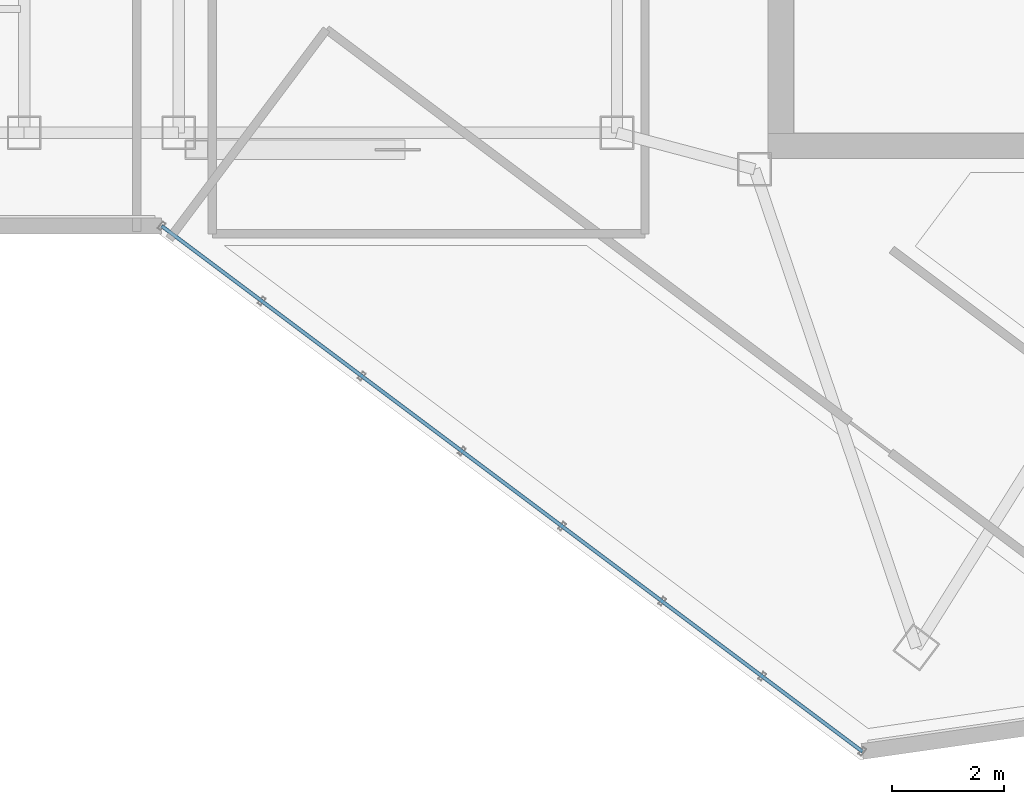
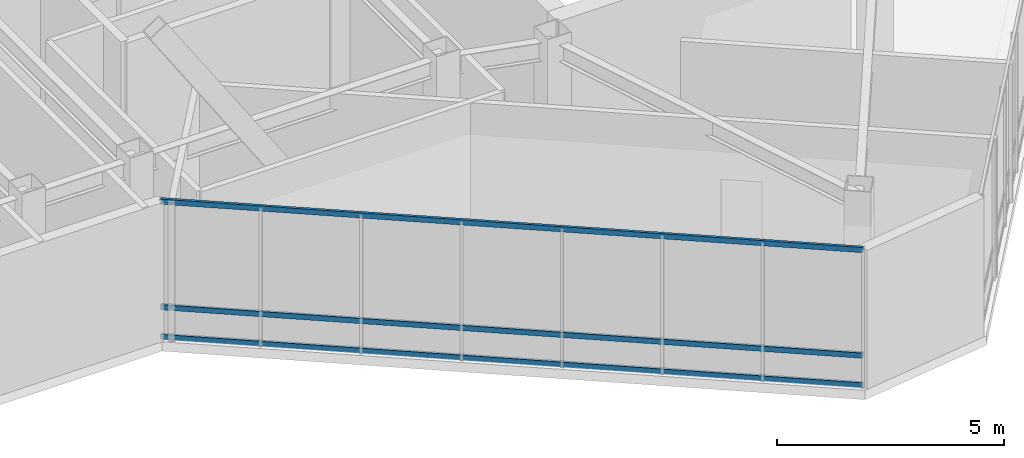
# One storey, part 3 of 31: 3 members, 1 element without a shape of its own.
"""IFC4 building model written with IfcOpenShell, lengths in metres."""

import ifcopenshell
import ifcopenshell.guid

model = None  # the IFC model being written
_history = None  # IfcOwnerHistory: only IFC2X3 demands one
_inside = {}  # id of a spatial element -> (the spatial element, [elements in it])
_under = {}  # id of a project, library or spatial element -> (it, [spatial elements below it])
_declared = {}  # id of a project -> (the project, [libraries it declares])
_typed = {}  # id of a type object -> (the type object, [elements of that type])
_made_of = {}  # id of a material, layer set ... -> (it, [elements and type objects made of it])


def new_model(schema):
    """Start an empty IFC model of exactly this schema.

    Asked for "IFC4X3", IfcOpenShell would pick the latest addendum, in which some entities
    have other attributes; the version numbers below select the first issue.
    IFC2X3 requires an IfcOwnerHistory on every rooted entity: one is made here for all.
    """
    global model, _history
    if schema == "IFC4X3":
        model = ifcopenshell.file(schema_version=(4, 3, 0, 0))
    else:
        model = ifcopenshell.file(schema=schema)
    _inside.clear()
    _under.clear()
    _declared.clear()
    _typed.clear()
    _made_of.clear()
    _history = None
    if model.schema == "IFC2X3":
        org = make("IfcOrganization", Name="unknown")
        user = make(
            "IfcPersonAndOrganization",
            ThePerson=make("IfcPerson", FamilyName="unknown"),
            TheOrganization=org,
        )
        app = make(
            "IfcApplication",
            ApplicationDeveloper=org,
            Version="unknown",
            ApplicationFullName="unknown",
            ApplicationIdentifier="unknown",
        )
        _history = make(
            "IfcOwnerHistory",
            OwningUser=user,
            OwningApplication=app,
            ChangeAction="ADDED",
            CreationDate=0,
        )
    return model


def make(cls, **values):
    """One entity of the class cls with the attributes given. An attribute that is None is left unset."""
    return model.create_entity(
        cls, **{name: value for name, value in values.items() if value is not None}
    )


def rooted(cls, **values):
    """An entity with a GlobalId (a new one), such as an element, a storey or a relation."""
    return make(cls, GlobalId=ifcopenshell.guid.new(), OwnerHistory=_history, **values)


def si_unit(unit_type, name, prefix=None):
    """IfcSIUnit, for example si_unit("LENGTHUNIT", "METRE", prefix="MILLI")."""
    return make("IfcSIUnit", UnitType=unit_type, Prefix=prefix, Name=name)


def assignment(units):
    """IfcUnitAssignment: the units of a project."""
    return None if units is None else make("IfcUnitAssignment", Units=units)


def point(xyz):
    """IfcCartesianPoint."""
    return None if xyz is None else make("IfcCartesianPoint", Coordinates=xyz)


def direction(xyz):
    """IfcDirection."""
    return None if xyz is None else make("IfcDirection", DirectionRatios=xyz)


def frame(location, z_axis=None, x_axis=None):
    """IfcAxis2Placement3D, a coordinate frame: its origin and axes. An axis left out is left unset."""
    return make(
        "IfcAxis2Placement3D",
        Location=point(location),
        Axis=direction(z_axis),
        RefDirection=direction(x_axis),
    )


def frame_2d(location, x_axis=None):
    """IfcAxis2Placement2D, a coordinate frame in the plane: its origin and x axis."""
    return make(
        "IfcAxis2Placement2D", Location=point(location), RefDirection=direction(x_axis)
    )


def origin():
    """The frame at (0, 0, 0) with its axes left unset."""
    return frame((0.0, 0.0, 0.0))


def origin_2d():
    """The frame at (0, 0) in the plane with its x axis left unset."""
    return frame_2d((0.0, 0.0))


def place(relative_to, where):
    """IfcLocalPlacement: puts the frame where relative to a parent placement (None: the world)."""
    return make(
        "IfcLocalPlacement", PlacementRelTo=relative_to, RelativePlacement=where
    )


def context(
    kind, dimensions, precision=None, world=None, true_north=None, identifier=None
):
    """IfcGeometricRepresentationContext, for example the 3D "Model" context."""
    return make(
        "IfcGeometricRepresentationContext",
        ContextIdentifier=identifier,
        ContextType=kind,
        CoordinateSpaceDimension=dimensions,
        Precision=precision,
        WorldCoordinateSystem=world,
        TrueNorth=true_north,
    )


def subcontext(parent, identifier, kind, view, scale=None):
    """IfcGeometricRepresentationSubContext, for example "Body" below "Model"."""
    return make(
        "IfcGeometricRepresentationSubContext",
        ContextIdentifier=identifier,
        ContextType=kind,
        ParentContext=parent,
        TargetScale=scale,
        TargetView=view,
    )


def project(units=None, contexts=None):
    """IfcProject with its units and contexts."""
    return rooted(
        "IfcProject",
        Name="project",
        RepresentationContexts=contexts,
        UnitsInContext=assignment(units),
    )


def spatial(cls, under=None, at=None, **own):
    """A site, building, storey or space (cls), placed at a placement, below another one or the project."""
    s = rooted(cls, ObjectPlacement=at, **own)
    if under is not None:
        _under.setdefault(under.id(), (under, []))[1].append(s)
    return s


def profile(cls, at=None, kind="AREA", **sizes):
    """A parametric profile (cls). Its sizes go by their IFC names, for example OverallWidth=200.0."""
    return make(cls, ProfileType=kind, Position=at, **sizes)


def hollow_rectangle(**sizes):
    """IfcRectangleHollowProfileDef."""
    return profile("IfcRectangleHollowProfileDef", **sizes)


def extrude(swept, where, along, depth):
    """IfcExtrudedAreaSolid: the profile swept, set in the frame where, extruded along a direction by depth."""
    return make(
        "IfcExtrudedAreaSolid",
        SweptArea=swept,
        Position=where,
        ExtrudedDirection=direction(along),
        Depth=depth,
    )


def shape(context_of_items, identifier, shape_type, items):
    """IfcShapeRepresentation: the items that make up one representation, for example the "Body"."""
    return make(
        "IfcShapeRepresentation",
        ContextOfItems=context_of_items,
        RepresentationIdentifier=identifier,
        RepresentationType=shape_type,
        Items=items,
    )


def material(Name=None, Category=None):
    """IfcMaterial."""
    return make("IfcMaterial", Name=Name, Category=Category)


def layer(
    of_material, thickness, ventilated=None, Name=None, Category=None, Priority=None
):
    """IfcMaterialLayer: one layer of a wall or slab, of a material (None: an air gap)."""
    return make(
        "IfcMaterialLayer",
        Material=of_material,
        LayerThickness=thickness,
        IsVentilated=ventilated,
        Name=Name,
        Category=Category,
        Priority=Priority,
    )


def layer_set(layers, Name=None):
    """IfcMaterialLayerSet."""
    return make("IfcMaterialLayerSet", MaterialLayers=layers, LayerSetName=Name)


def material_profile(
    of_material, cross_section, Name=None, Category=None, Priority=None
):
    """IfcMaterialProfile: a cross section and its material."""
    return make(
        "IfcMaterialProfile",
        Name=Name,
        Material=of_material,
        Profile=cross_section,
        Priority=Priority,
        Category=Category,
    )


def profile_set(profiles, Name=None, composite=None):
    """IfcMaterialProfileSet."""
    return make(
        "IfcMaterialProfileSet",
        Name=Name,
        MaterialProfiles=profiles,
        CompositeProfile=composite,
    )


def made_of(thing, what):
    """Note that an element or type object is made of a material, layer set ...; save() writes the relation."""
    if what is not None:
        _made_of.setdefault(what.id(), (what, []))[1].append(thing)
    return thing


def type_object(cls, material=None, **own):
    """A type object (cls), such as IfcWallType, which elements share."""
    return made_of(rooted(cls, **own), material)


def element(
    cls,
    number,
    at=None,
    inside=None,
    cuts=None,
    type_object=None,
    material=None,
    context=None,
    identifier="Body",
    shape_type=None,
    held_by="IfcProductDefinitionShape",
    body=None,
    shapes=None,
    **own,
):
    """One element of the class cls, such as IfcWall. Its Tag is "e" and its number.

    at: its placement. inside: the storey or other place that contains it. cuts: it is an
    opening in that element (IfcRelVoidsElement). A single representation is given by context,
    identifier, shape_type and body (its items); several are given by shapes. held_by: the class
    of the entity that holds the representations. save() writes the other relations.
    """
    e = rooted(cls, Tag="e%d" % number, ObjectPlacement=at, **own)
    if body is not None:
        shapes = [shape(context, identifier, shape_type, body)]
    if shapes is not None:
        e.Representation = make(held_by, Representations=shapes)
    if inside is not None:
        _inside.setdefault(inside.id(), (inside, []))[1].append(e)
    if cuts is not None:
        rooted(
            "IfcRelVoidsElement", RelatingBuildingElement=cuts, RelatedOpeningElement=e
        )
    if type_object is not None:
        _typed.setdefault(type_object.id(), (type_object, []))[1].append(e)
    return made_of(e, material)


def aggregate(whole, parts):
    """IfcRelAggregates: a whole, such as a stair, and the parts it consists of."""
    return rooted("IfcRelAggregates", RelatingObject=whole, RelatedObjects=parts)


def save(model, path):
    """Write the relations noted so far, then the file.

    IfcRelAggregates (storeys below a building ...), IfcRelContainedInSpatialStructure (elements
    in a storey), IfcRelDefinesByType, IfcRelAssociatesMaterial and IfcRelDeclares: one each for
    every whole, place, type object, material and project.
    """
    for whole, parts in _under.values():
        aggregate(whole, parts)
    for where, things in _inside.values():
        rooted(
            "IfcRelContainedInSpatialStructure",
            RelatedElements=things,
            RelatingStructure=where,
        )
    for kind, things in _typed.values():
        rooted("IfcRelDefinesByType", RelatedObjects=things, RelatingType=kind)
    for what, things in _made_of.values():
        rooted("IfcRelAssociatesMaterial", RelatedObjects=things, RelatingMaterial=what)
    for by, libraries in _declared.values():
        rooted("IfcRelDeclares", RelatingContext=by, RelatedDefinitions=libraries)
    model.write(path)


model = new_model("IFC4")

# Units and contexts
model_context = context("Model", 3, precision=1e-05, world=origin(), true_north=direction((0.0, 1.0)))
body_context = subcontext(model_context, "Body", "Model", "MODEL_VIEW")
ifc_project = project(units=[si_unit("LENGTHUNIT", "METRE"), si_unit("AREAUNIT", "SQUARE_METRE"), si_unit("VOLUMEUNIT", "CUBIC_METRE"), si_unit("PLANEANGLEUNIT", "RADIAN"), si_unit("MASSUNIT", "GRAM", prefix="KILO")], contexts=[model_context])

# Site, building, storey
site_placement = place(None, origin())
site = spatial("IfcSite", under=ifc_project, at=site_placement, CompositionType="ELEMENT")
building_placement = place(site_placement, origin())
building = spatial("IfcBuilding", under=site, at=building_placement, Name="Hatsunagi Terrace Concourse", CompositionType="ELEMENT")
storey_placement = place(building_placement, frame((0.0, 0.0, 269.949951171875)))
storey = spatial("IfcBuildingStorey", under=building, at=storey_placement, Name="L71", CompositionType="ELEMENT", Elevation=269.949951171875)

# Curtain wall, members
ifc_material_1 = material(Name="Anodised Aluminium Alloy 6063-T5", Category="aluminium")
ifc_layer = layer(ifc_material_1, 0.199951171875)
ifc_layer_set = layer_set([ifc_layer], Name="CrownWintergarden_CW06")
curtain_wall_type = type_object("IfcCurtainWallType", Name="CrownWintergarden_CW06", PredefinedType="NOTDEFINED", material=ifc_layer_set)
curtain_wall_placement = place(storey_placement, origin())
curtain_wall = element("IfcCurtainWall", 1, at=curtain_wall_placement, inside=storey, type_object=curtain_wall_type, Name="Unitised Curtain Wall CW-06 CW-L71-05", PredefinedType="NOTDEFINED")
ifc_material_2 = material(Name="Anodised Aluminium Alloy 6063-T5", Category="aluminium")
ifc_material_profile = material_profile(ifc_material_2, hollow_rectangle(XDim=0.06494140625, YDim=0.139892578125, WallThickness=0.00390625, at=origin_2d()), Name="ALU-TRN-140x65x4")
ifc_profile_set = profile_set([ifc_material_profile], Name="Anodised Aluminium Alloy 6063-T5")
member_type = type_object("IfcMemberType", Name="CurtainWallTransom_140x65", PredefinedType="USERDEFINED", material=ifc_profile_set)
member_1_placement = place(storey_placement, frame((37.718017578125, 14.18701171875, 0.050048828125), z_axis=(-0.800005638109, 0.599992482448, 0.0), x_axis=(-0.599992482448, -0.800005638109, 0.0)))
member_1 = element("IfcMember", 2, at=member_1_placement, type_object=member_type, Name="Curtain Wall Transom TRN-02", ObjectType="TRANSOM", PredefinedType="USERDEFINED", context=body_context, shape_type="SweptSolid", body=[
    extrude(hollow_rectangle(XDim=0.06494140625, YDim=0.139892578125, WallThickness=0.00390625, at=origin_2d()), origin(), (0.0, 0.0, 1.0), 15.588623046875),
])
member_2_placement = place(storey_placement, frame((37.718017578125, 14.18701171875, 0.85009765625), z_axis=(-0.800005638109, 0.599992482448, 0.0), x_axis=(-0.599992482448, -0.800005638109, 0.0)))
member_2 = element("IfcMember", 3, at=member_2_placement, type_object=member_type, Name="Curtain Wall Transom TRN-02", ObjectType="TRANSOM", PredefinedType="USERDEFINED", context=body_context, shape_type="SweptSolid", body=[
    extrude(hollow_rectangle(XDim=0.06494140625, YDim=0.139892578125, WallThickness=0.00390625, at=origin_2d()), origin(), (0.0, 0.0, 1.0), 15.588623046875),
])
member_3_placement = place(storey_placement, frame((37.718017578125, 14.18701171875, 3.68994140625), z_axis=(-0.800005638109, 0.599992482448, 0.0), x_axis=(-0.599992482448, -0.800005638109, 0.0)))
member_3 = element("IfcMember", 4, at=member_3_placement, type_object=member_type, Name="Curtain Wall Transom TRN-02", ObjectType="TRANSOM", PredefinedType="USERDEFINED", context=body_context, shape_type="SweptSolid", body=[
    extrude(hollow_rectangle(XDim=0.06494140625, YDim=0.139892578125, WallThickness=0.00390625, at=origin_2d()), origin(), (0.0, 0.0, 1.0), 15.588623046875),
])
aggregate(curtain_wall, [member_1, member_2, member_3])

save(model, "model.ifc")
